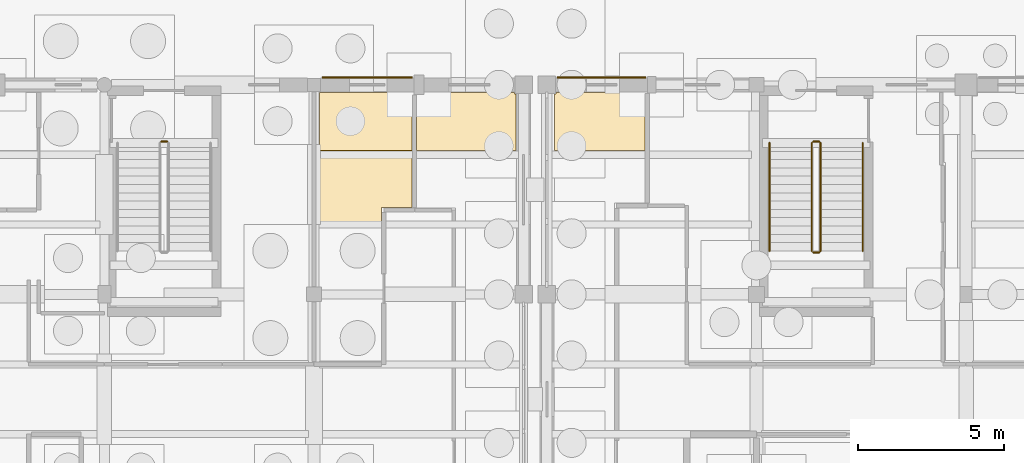
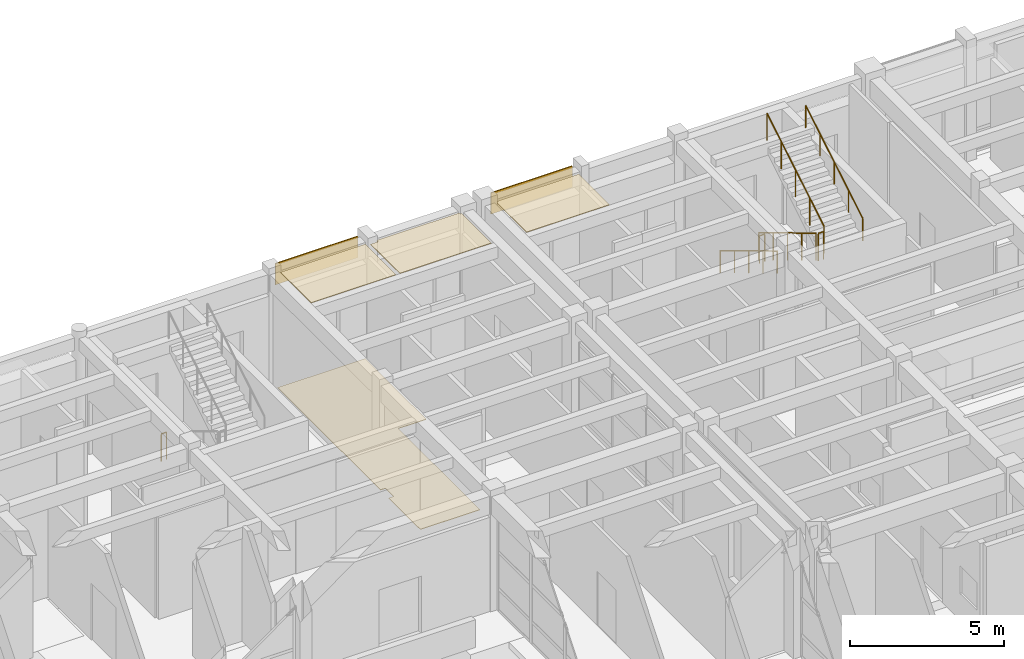
# One storey, part 138 of 143: 7 railings, 6 coverings.
"""IFC4 building model written with IfcOpenShell, lengths in metres."""

from ifc_helpers import new_model, si_unit, direction, frame, origin, origin_2d, place, context, subcontext, project, spatial, polyline, rectangle, circle, outline, extrude, material, layer, layer_set, type_object, element, save


model = new_model("IFC4")

# Units and contexts
model_context = context("Model", 3, precision=1e-05, world=origin(), true_north=direction((0.0, 1.0)))
body_context = subcontext(model_context, "Body", "Model", "MODEL_VIEW")
ifc_project = project(units=[si_unit("LENGTHUNIT", "METRE"), si_unit("AREAUNIT", "SQUARE_METRE"), si_unit("VOLUMEUNIT", "CUBIC_METRE"), si_unit("PLANEANGLEUNIT", "RADIAN"), si_unit("MASSUNIT", "GRAM", prefix="KILO")], contexts=[model_context])

# Site, building, storey
site_placement = place(None, origin())
site = spatial("IfcSite", under=ifc_project, at=site_placement, CompositionType="ELEMENT")
building_placement = place(site_placement, origin())
building = spatial("IfcBuilding", under=site, at=building_placement, Name="Steenspoor Specialist Clinic", CompositionType="ELEMENT")
storey_placement = place(building_placement, origin())
storey = spatial("IfcBuildingStorey", under=building, at=storey_placement, Name="L00", CompositionType="ELEMENT", Elevation=0.0)

# Coverings
ifc_material_1 = material(Name="Washable acoustic mineral ceiling board", Category="gypsum")
ifc_layer_1 = layer(ifc_material_1, 0.02490234375)
ifc_layer_set_1 = layer_set([ifc_layer_1], Name="Washable acoustic mineral ceiling board")
covering_type_1 = type_object("IfcCoveringType", Name="COV-CEIL-ACOUSTIC", PredefinedType="CEILING", material=ifc_layer_set_1)
covering_1_placement = place(storey_placement, frame((0.0, 0.0, 4.52490234375)))
element("IfcCovering", 1, at=covering_1_placement, inside=storey, type_object=covering_type_1, Name="Acoustic Clinical Ceiling 065", PredefinedType="CEILING", context=body_context, shape_type="SweptSolid", body=[
    extrude(outline(polyline([(113.514892578125, 107.9951171875), (113.784912109375, 107.9951171875), (113.784912109375, 108.090087890625), (116.885009765625, 108.090087890625), (116.885009765625, 108.034912109375), (116.93994140625, 108.034912109375), (116.93994140625, 106.10009765625), (113.514892578125, 106.10009765625), (113.514892578125, 107.9951171875)])), origin(), (0.0, 0.0, 1.0), 0.025146484375),
])
covering_2_placement = place(storey_placement, frame((0.0, 0.0, 4.52490234375)))
element("IfcCovering", 2, at=covering_2_placement, inside=storey, type_object=covering_type_1, Name="Acoustic Clinical Ceiling 068", PredefinedType="CEILING", context=body_context, shape_type="SweptSolid", body=[
    extrude(outline(polyline([(113.364990234375, 108.090087890625), (113.364990234375, 106.10009765625), (110.195068359375, 106.10009765625), (110.195068359375, 108.090087890625), (113.364990234375, 108.090087890625)])), origin(), (0.0, 0.0, 1.0), 0.025146484375),
])
covering_3_placement = place(storey_placement, frame((0.0, 0.0, 4.4951171875)))
element("IfcCovering", 3, at=covering_3_placement, inside=storey, type_object=covering_type_1, Name="Acoustic Clinical Ceiling 092", PredefinedType="CEILING", context=body_context, shape_type="SweptSolid", body=[
    extrude(outline(polyline([(118.260009765625, 108.034912109375), (118.31494140625, 108.034912109375), (118.31494140625, 108.090087890625), (121.364990234375, 108.090087890625), (121.364990234375, 106.10009765625), (118.260009765625, 106.10009765625), (118.260009765625, 108.034912109375)])), origin(), (0.0, 0.0, 1.0), 0.02490234375),
])
ifc_material_2 = material(Name="Glazed ceramic relief spandrel cladding", Category="masonry")
ifc_layer_2 = layer(ifc_material_2, 0.034912109375)
ifc_layer_set_2 = layer_set([ifc_layer_2], Name="Glazed ceramic relief spandrel cladding")
covering_type_2 = type_object("IfcCoveringType", Name="COV-CLAD-CERAMIC", PredefinedType="CLADDING", material=ifc_layer_set_2)
covering_4_placement = place(storey_placement, frame((111.827392578125, 108.60009765625, 3.71484375), z_axis=(0.0, 0.0, 1.0), x_axis=(1.0, 0.0, 0.0)))
element("IfcCovering", 4, at=covering_4_placement, inside=storey, type_object=covering_type_2, Name="Spandrel Cladding 26", PredefinedType="CLADDING", context=body_context, shape_type="SweptSolid", body=[
    extrude(rectangle(XDim=3.0849609375, YDim=0.0400390625, at=origin_2d()), origin(), (0.0, 0.0, 1.0), 0.840087890625),
])
covering_5_placement = place(storey_placement, frame((119.8798828125, 108.60009765625, 3.68505859375), z_axis=(0.0, 0.0, 1.0), x_axis=(1.0, 0.0, 0.0)))
element("IfcCovering", 5, at=covering_5_placement, inside=storey, type_object=covering_type_2, Name="Spandrel Cladding 81", PredefinedType="CLADDING", context=body_context, shape_type="SweptSolid", body=[
    extrude(rectangle(XDim=3.0400390625, YDim=0.0400390625, at=origin_2d()), origin(), (0.0, 0.0, 1.0), 0.840087890625),
])
ifc_material_3 = material(Name="Seamless clinical vinyl and terrazzo flooring", Category="plastic")
ifc_layer_3 = layer(ifc_material_3, 0.02001953125)
ifc_layer_set_3 = layer_set([ifc_layer_3], Name="Seamless clinical vinyl and terrazzo flooring")
covering_type_3 = type_object("IfcCoveringType", Name="COV-FLOOR-VINYL", PredefinedType="FLOORING", material=ifc_layer_set_3)
covering_6_placement = place(storey_placement, origin())
element("IfcCovering", 6, at=covering_6_placement, inside=storey, type_object=covering_type_3, Name="Clinical Vinyl Flooring 100", PredefinedType="FLOORING", context=body_context, shape_type="SweptSolid", body=[
    extrude(outline(polyline([(112.31494140625, 98.8349609375), (110.0849609375, 98.8349609375), (110.0849609375, 100.885009765625), (110.264892578125, 100.885009765625), (110.264892578125, 101.4150390625), (110.0849609375, 101.4150390625), (110.0849609375, 108.090087890625), (113.364990234375, 108.090087890625), (113.364990234375, 104.135009765625), (112.31494140625, 104.135009765625), (112.31494140625, 98.8349609375)])), origin(), (0.0, 0.0, 1.0), 0.02001953125),
])

# Railings
ifc_material_4 = material(Name="Painted architectural steel balustrade", Category="steel")
railing_type_1 = type_object("IfcRailingType", Name="RAIL-GUARD-1100", PredefinedType="GUARDRAIL", material=ifc_material_4)
railing_1_placement = place(storey_placement, frame((104.75, 106.39990234375, 0.0)))
element("IfcRailing", 7, at=railing_1_placement, inside=storey, type_object=railing_type_1, Name="L00 ST-V4B stair guard 4", PredefinedType="GUARDRAIL", context=body_context, shape_type="SweptSolid", body=[
    extrude(circle(Radius=0.02392578125, at=origin_2d()), frame((0.0, 0.0, 1.076171875), z_axis=(1.0, 0.0, 0.0), x_axis=(0.0, 1.0, 0.0)), (0.0, 0.0, 1.0), 0.199951171875),
    extrude(circle(Radius=0.02099609375, at=origin_2d()), origin(), (0.0, 0.0, 1.0), 1.052001953125),
    extrude(circle(Radius=0.02099609375, at=origin_2d()), frame((0.199951171875, 0.0, 0.0)), (0.0, 0.0, 1.0), 1.052001953125),
])
railing_2_placement = place(storey_placement, frame((127.10009765625, 106.35009765625, 0.17138671875)))
element("IfcRailing", 8, at=railing_2_placement, inside=storey, type_object=railing_type_1, Name="L00 ST-V6A stair guard 1", PredefinedType="GUARDRAIL", context=body_context, shape_type="SweptSolid", body=[
    extrude(circle(Radius=0.02392578125, at=origin_2d()), frame((0.0, 0.0, 1.076171875), z_axis=(0.0, -0.856934400257, 0.515425487977), x_axis=(1.0, 0.0, 0.0)), (0.0, 0.0, 1.0), 4.32373046875),
    extrude(circle(Radius=0.02099609375, at=origin_2d()), origin(), (0.0, 0.0, 1.0), 1.052001953125),
    extrude(circle(Radius=0.02099609375, at=origin_2d()), frame((0.0, -0.92626953125, 0.55712890625)), (0.0, 0.0, 1.0), 1.052001953125),
    extrude(circle(Radius=0.02099609375, at=origin_2d()), frame((0.0, -1.8525390625, 1.1142578125)), (0.0, 0.0, 1.0), 1.052001953125),
    extrude(circle(Radius=0.02099609375, at=origin_2d()), frame((0.0, -2.77880859375, 1.67138671875)), (0.0, 0.0, 1.0), 1.052001953125),
    extrude(circle(Radius=0.02099609375, at=origin_2d()), frame((0.0, -3.705078125, 2.228515625)), (0.0, 0.0, 1.0), 1.052001953125),
])
railing_3_placement = place(storey_placement, frame((127.14990234375, 102.594970703125, 2.39990234375)))
element("IfcRailing", 9, at=railing_3_placement, inside=storey, type_object=railing_type_1, Name="L00 ST-V6A stair guard 2", PredefinedType="GUARDRAIL", context=body_context, shape_type="SweptSolid", body=[
    extrude(circle(Radius=0.02392578125, at=origin_2d()), frame((0.0, 0.0, 1.076171875), z_axis=(1.0, 0.0, 0.0), x_axis=(0.0, 1.0, 0.0)), (0.0, 0.0, 1.0), 0.2001953125),
    extrude(circle(Radius=0.02099609375, at=origin_2d()), origin(), (0.0, 0.0, 1.0), 1.052001953125),
    extrude(circle(Radius=0.02099609375, at=origin_2d()), frame((0.2001953125, 0.0, 0.0)), (0.0, 0.0, 1.0), 1.052001953125),
])
railing_4_placement = place(storey_placement, frame((127.39990234375, 102.64501953125, 2.571533203125)))
element("IfcRailing", 10, at=railing_4_placement, inside=storey, type_object=railing_type_1, Name="L00 ST-V6A stair guard 3", PredefinedType="GUARDRAIL", context=body_context, shape_type="SweptSolid", body=[
    extrude(circle(Radius=0.02392578125, at=origin_2d()), frame((0.0, 0.0, 1.076171875), z_axis=(0.0, 0.856934400257, 0.515425487977), x_axis=(-1.0, 0.0, 0.0)), (0.0, 0.0, 1.0), 4.32373046875),
    extrude(circle(Radius=0.02099609375, at=origin_2d()), origin(), (0.0, 0.0, 1.0), 1.052001953125),
    extrude(circle(Radius=0.02099609375, at=origin_2d()), frame((0.0, 0.92626953125, 0.55712890625)), (0.0, 0.0, 1.0), 1.052001953125),
    extrude(circle(Radius=0.02099609375, at=origin_2d()), frame((0.0, 1.8525390625, 1.1142578125)), (0.0, 0.0, 1.0), 1.052001953125),
    extrude(circle(Radius=0.02099609375, at=origin_2d()), frame((0.0, 2.77880859375, 1.67138671875)), (0.0, 0.0, 1.0), 1.052001953125),
    extrude(circle(Radius=0.02099609375, at=origin_2d()), frame((0.0, 3.705078125, 2.228515625)), (0.0, 0.0, 1.0), 1.052001953125),
])
railing_5_placement = place(storey_placement, frame((127.14990234375, 106.39990234375, 0.0)))
element("IfcRailing", 11, at=railing_5_placement, inside=storey, type_object=railing_type_1, Name="L00 ST-V6A stair guard 4", PredefinedType="GUARDRAIL", context=body_context, shape_type="SweptSolid", body=[
    extrude(circle(Radius=0.02392578125, at=origin_2d()), frame((0.0, 0.0, 1.076171875), z_axis=(1.0, 0.0, 0.0), x_axis=(0.0, 1.0, 0.0)), (0.0, 0.0, 1.0), 0.2001953125),
    extrude(circle(Radius=0.02099609375, at=origin_2d()), origin(), (0.0, 0.0, 1.0), 1.052001953125),
    extrude(circle(Radius=0.02099609375, at=origin_2d()), frame((0.2001953125, 0.0, 0.0)), (0.0, 0.0, 1.0), 1.052001953125),
])
ifc_material_5 = material(Name="Brushed stainless steel clinical handrail", Category="steel")
railing_type_2 = type_object("IfcRailingType", Name="RAIL-HAND-900", PredefinedType="HANDRAIL", material=ifc_material_5)
railing_6_placement = place(storey_placement, frame((125.64990234375, 106.35009765625, 0.17138671875)))
element("IfcRailing", 12, at=railing_6_placement, inside=storey, type_object=railing_type_2, Name="L00 ST-V6A stair handrail 1", PredefinedType="HANDRAIL", context=body_context, shape_type="SweptSolid", body=[
    extrude(circle(Radius=0.02392578125, at=origin_2d()), frame((0.0, 0.0, 0.8759765625), z_axis=(0.0, -0.856934400257, 0.515425487977), x_axis=(1.0, 0.0, 0.0)), (0.0, 0.0, 1.0), 4.32373046875),
    extrude(circle(Radius=0.02099609375, at=origin_2d()), origin(), (0.0, 0.0, 1.0), 0.851806640625),
    extrude(circle(Radius=0.02099609375, at=origin_2d()), frame((0.0, -0.92626953125, 0.55712890625)), (0.0, 0.0, 1.0), 0.851806640625),
    extrude(circle(Radius=0.02099609375, at=origin_2d()), frame((0.0, -1.8525390625, 1.1142578125)), (0.0, 0.0, 1.0), 0.851806640625),
    extrude(circle(Radius=0.02099609375, at=origin_2d()), frame((0.0, -2.77880859375, 1.67138671875)), (0.0, 0.0, 1.0), 0.851806640625),
    extrude(circle(Radius=0.02099609375, at=origin_2d()), frame((0.0, -3.705078125, 2.228515625)), (0.0, 0.0, 1.0), 0.851806640625),
])
railing_7_placement = place(storey_placement, frame((128.85009765625, 102.64501953125, 2.571533203125)))
element("IfcRailing", 13, at=railing_7_placement, inside=storey, type_object=railing_type_2, Name="L00 ST-V6A stair handrail 2", PredefinedType="HANDRAIL", context=body_context, shape_type="SweptSolid", body=[
    extrude(circle(Radius=0.02392578125, at=origin_2d()), frame((0.0, 0.0, 0.8759765625), z_axis=(0.0, 0.856934400257, 0.515425487977), x_axis=(-1.0, 0.0, 0.0)), (0.0, 0.0, 1.0), 4.32373046875),
    extrude(circle(Radius=0.02099609375, at=origin_2d()), origin(), (0.0, 0.0, 1.0), 0.851806640625),
    extrude(circle(Radius=0.02099609375, at=origin_2d()), frame((0.0, 0.92626953125, 0.55712890625)), (0.0, 0.0, 1.0), 0.851806640625),
    extrude(circle(Radius=0.02099609375, at=origin_2d()), frame((0.0, 1.8525390625, 1.1142578125)), (0.0, 0.0, 1.0), 0.851806640625),
    extrude(circle(Radius=0.02099609375, at=origin_2d()), frame((0.0, 2.77880859375, 1.67138671875)), (0.0, 0.0, 1.0), 0.851806640625),
    extrude(circle(Radius=0.02099609375, at=origin_2d()), frame((0.0, 3.705078125, 2.228515625)), (0.0, 0.0, 1.0), 0.851806640625),
])

save(model, "model.ifc")
